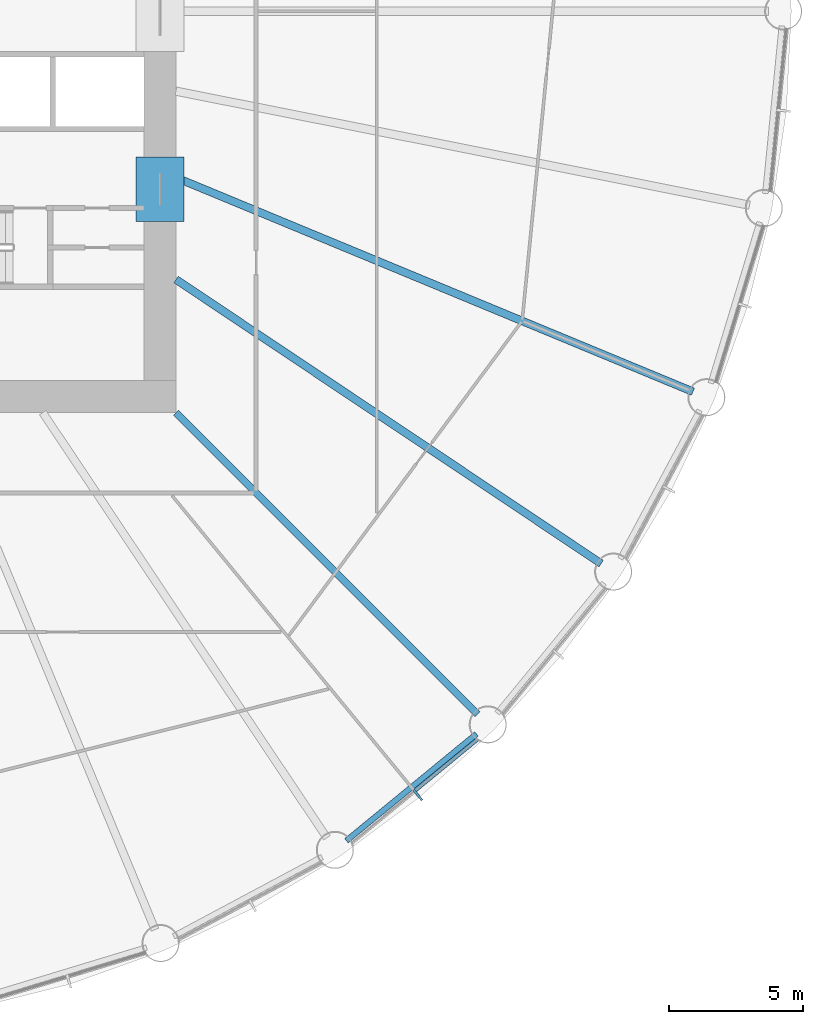
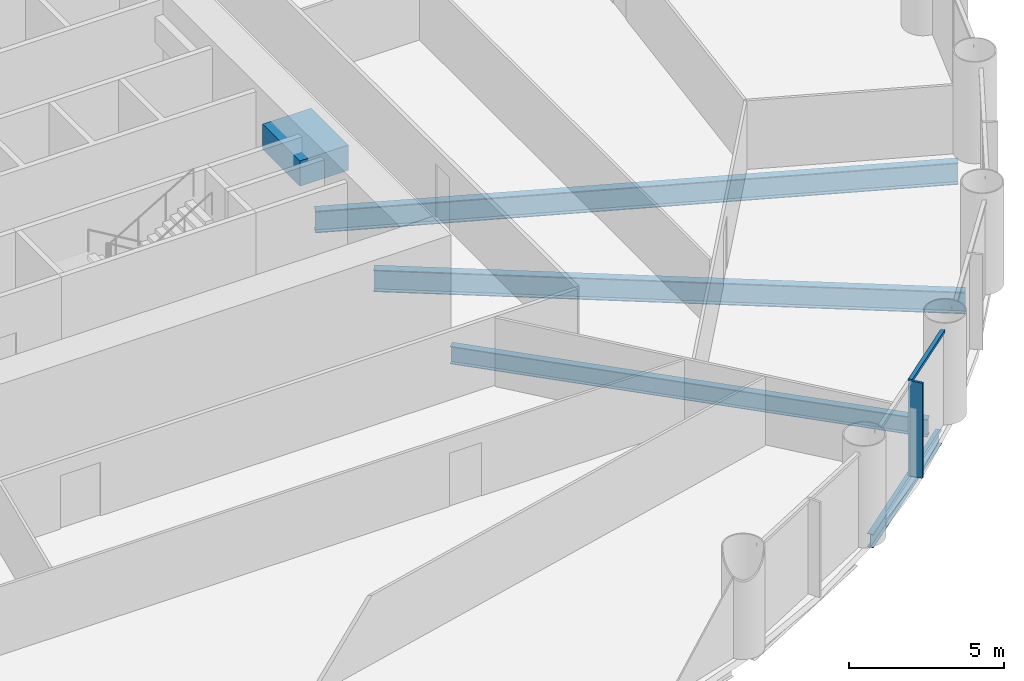
# One storey, part 3 of 15: 5 beams, 2 members, 1 element without a shape of its own.
"""IFC4 building model written with IfcOpenShell, lengths in metres."""

from ifc_helpers import new_model, si_unit, direction, frame, origin, origin_2d, place, context, subcontext, project, spatial, rectangle, i_section, extrude, material, material_profile, profile_set, type_object, element, aggregate, save


model = new_model("IFC4")

# Units and contexts
model_context = context("Model", 3, precision=1e-05, world=origin(), true_north=direction((0.0, 1.0)))
body_context = subcontext(model_context, "Body", "Model", "MODEL_VIEW")
ifc_project = project(units=[si_unit("LENGTHUNIT", "METRE"), si_unit("AREAUNIT", "SQUARE_METRE"), si_unit("VOLUMEUNIT", "CUBIC_METRE"), si_unit("PLANEANGLEUNIT", "RADIAN"), si_unit("MASSUNIT", "GRAM", prefix="KILO")], contexts=[model_context])

# Site, building, storey
site_placement = place(None, origin())
site = spatial("IfcSite", under=ifc_project, at=site_placement, CompositionType="ELEMENT")
building_placement = place(site_placement, origin())
building = spatial("IfcBuilding", under=site, at=building_placement, Name="Corvane Civic Tower", CompositionType="ELEMENT")
storey_placement = place(building_placement, frame((0.0, 0.0, 41.0)))
storey = spatial("IfcBuildingStorey", under=building, at=storey_placement, Name="L08", CompositionType="ELEMENT", Elevation=41.0)

# Beams
ifc_material_1 = material(Name="Concrete C80/95", Category="concrete")
ifc_material_profile_1 = material_profile(ifc_material_1, rectangle(XDim=1.800048828125, YDim=1.0, at=origin_2d()), Name="COUPLING BEAM 1800X1000")
ifc_profile_set_1 = profile_set([ifc_material_profile_1], Name="Concrete C80/95")
beam_type_1 = type_object("IfcBeamType", Name="COUPLING BEAM COUPLING BEAM 1800X1000", PredefinedType="BEAM", material=ifc_profile_set_1)
beam_1_placement = place(storey_placement, frame((14.39990234375, -7.85009765625, 2.60009765625), z_axis=(0.0, 1.0, 0.0), x_axis=(-1.0, 0.0, 0.0)))
element("IfcBeam", 1, at=beam_1_placement, inside=storey, type_object=beam_type_1, Name="BM-L08-cpl-CW-ES", PredefinedType="BEAM", context=body_context, shape_type="SweptSolid", body=[
    extrude(rectangle(XDim=1.800048828125, YDim=1.0, at=origin_2d()), origin(), (0.0, 0.0, 1.0), 2.400146484375),
])
ifc_material_2 = material(Name="Steel ASTM A992 Gr 50", Category="steel")
ifc_material_profile_2 = material_profile(ifc_material_2, i_section(OverallWidth=0.209228515625, OverallDepth=0.533447265625, WebThickness=0.01025390625, FlangeThickness=0.015625, at=origin_2d()), Name="W21X62")
ifc_profile_set_2 = profile_set([ifc_material_profile_2], Name="Steel ASTM A992 Gr 50")
beam_type_2 = type_object("IfcBeamType", Name="EDGE BEAM W21X62", PredefinedType="BEAM", material=ifc_profile_set_2)
beam_2_placement = place(storey_placement, frame((26.23291015625, -27.0068359375, -0.566650390625), z_axis=(-0.773015785286, -0.634386787141, 0.0), x_axis=(0.634386787141, -0.773015785286, 0.0)))
element("IfcBeam", 2, at=beam_2_placement, inside=storey, type_object=beam_type_2, Name="BM-L08-E13", PredefinedType="BEAM", context=body_context, shape_type="SweptSolid", body=[
    extrude(i_section(OverallWidth=0.209228515625, OverallDepth=0.533447265625, WebThickness=0.01025390625, FlangeThickness=0.015625, at=origin_2d()), origin(), (0.0, 0.0, 1.0), 6.290771484375),
])
ifc_material_3 = material(Name="Steel ASTM A992 Gr 50", Category="steel")
ifc_material_profile_3 = material_profile(ifc_material_3, i_section(OverallWidth=0.256591796875, OverallDepth=0.693359375, WebThickness=0.014404296875, FlangeThickness=0.023681640625, at=origin_2d()), Name="W27X114")
ifc_profile_set_3 = profile_set([ifc_material_profile_3], Name="Steel ASTM A992 Gr 50")
beam_type_3 = type_object("IfcBeamType", Name="FLOOR GIRDER W27X114", PredefinedType="BEAM", material=ifc_profile_set_3)
beam_3_placement = place(storey_placement, frame((15.0, -15.0, -0.646728515625), z_axis=(0.707106781187, -0.707106781187, 0.0), x_axis=(0.707106781187, 0.707106781187, 0.0)))
element("IfcBeam", 3, at=beam_3_placement, inside=storey, type_object=beam_type_3, Name="BM-L08-G13", PredefinedType="BEAM", context=body_context, shape_type="SweptSolid", body=[
    extrude(i_section(OverallWidth=0.256591796875, OverallDepth=0.693359375, WebThickness=0.014404296875, FlangeThickness=0.023681640625, at=origin_2d()), origin(), (0.0, 0.0, 1.0), 15.936767578125),
])
ifc_material_4 = material(Name="Steel ASTM A992 Gr 50", Category="steel")
ifc_material_profile_4 = material_profile(ifc_material_4, i_section(OverallWidth=0.2919921875, OverallDepth=0.8583984375, WebThickness=0.01708984375, FlangeThickness=0.031005859375, at=origin_2d()), Name="W33X169")
ifc_profile_set_4 = profile_set([ifc_material_profile_4], Name="Steel ASTM A992 Gr 50")
beam_type_4 = type_object("IfcBeamType", Name="FLOOR GIRDER W33X169", PredefinedType="BEAM", material=ifc_profile_set_4)
beam_4_placement = place(storey_placement, frame((15.0, -6.213134765625, -0.729248046875), z_axis=(0.923875834355, -0.382692360381, 0.0), x_axis=(0.382692360381, 0.923875834355, 0.0)))
element("IfcBeam", 4, at=beam_4_placement, inside=storey, type_object=beam_type_4, Name="BM-L08-G11", PredefinedType="BEAM", context=body_context, shape_type="SweptSolid", body=[
    extrude(i_section(OverallWidth=0.2919921875, OverallDepth=0.8583984375, WebThickness=0.01708984375, FlangeThickness=0.031005859375, at=origin_2d()), origin(), (0.0, 0.0, 1.0), 20.9140625),
])
beam_5_placement = place(storey_placement, frame((15.0, -10.022705078125, -0.729248046875), z_axis=(0.831471985418, -0.555566681385, 0.0), x_axis=(0.555566681385, 0.831471985418, 0.0)))
element("IfcBeam", 5, at=beam_5_placement, inside=storey, type_object=beam_type_4, Name="BM-L08-G12", PredefinedType="BEAM", context=body_context, shape_type="SweptSolid", body=[
    extrude(i_section(OverallWidth=0.2919921875, OverallDepth=0.8583984375, WebThickness=0.01708984375, FlangeThickness=0.031005859375, at=origin_2d()), origin(), (0.0, 0.0, 1.0), 19.109619140625),
])

# Curtain wall, members
ifc_material_5 = material(Name="Anodised aluminium bronze", Category="aluminium")
curtain_wall_type = type_object("IfcCurtainWallType", Name="TOWER CW-T1 STICK CURTAIN WALL", PredefinedType="NOTDEFINED", material=ifc_material_5)
curtain_wall_placement = place(storey_placement, origin())
curtain_wall = element("IfcCurtainWall", 6, at=curtain_wall_placement, inside=storey, type_object=curtain_wall_type, Name="Curtain wall CW-T1 L08 bay 13", PredefinedType="NOTDEFINED")
ifc_material_6 = material(Name="Anodised aluminium bronze", Category="aluminium")
ifc_material_profile_5 = material_profile(ifc_material_6, rectangle(XDim=0.139892578125, YDim=0.1201171875, at=origin_2d()), Name="TOWER CW-T1 TRANSOM 140x120")
ifc_profile_set_5 = profile_set([ifc_material_profile_5], Name="Anodised aluminium bronze")
member_type_1 = type_object("IfcMemberType", Name="TOWER CW-T1 TRANSOM 140x120", PredefinedType="USERDEFINED", material=ifc_profile_set_5)
member_1_placement = place(storey_placement, frame((26.271728515625, -27.20654296875, 3.68994140625), z_axis=(-0.773001943873, -0.634403652865, 0.0), x_axis=(0.634403652865, -0.773001943873, 0.0)))
member_1 = element("IfcMember", 7, at=member_1_placement, type_object=member_type_1, Name="Transom CW-T1 L08 13.1", ObjectType="TRANSOM", PredefinedType="USERDEFINED", context=body_context, shape_type="SweptSolid", body=[
    extrude(rectangle(XDim=0.139892578125, YDim=0.1201171875, at=origin_2d()), origin(), (0.0, 0.0, 1.0), 3.008544921875),
])
ifc_material_7 = material(Name="Anodised aluminium bronze", Category="aluminium")
ifc_material_profile_6 = material_profile(ifc_material_7, rectangle(XDim=0.080078125, YDim=0.5, at=origin_2d()), Name="TOWER FIN MULLION 80x500 BRONZE")
ifc_profile_set_6 = profile_set([ifc_material_profile_6], Name="Anodised aluminium bronze")
member_type_2 = type_object("IfcMemberType", Name="TOWER FIN MULLION 80x500 BRONZE", PredefinedType="MULLION", material=ifc_profile_set_6)
member_2_placement = place(storey_placement, frame((24.0419921875, -29.295166015625, 0.0), z_axis=(0.0, 0.0, 1.0), x_axis=(-0.773007224463, -0.634397218569, 0.0)))
member_2 = element("IfcMember", 8, at=member_2_placement, type_object=member_type_2, Name="Fin mullion 13 L08", PredefinedType="MULLION", context=body_context, shape_type="SweptSolid", body=[
    extrude(rectangle(XDim=0.080078125, YDim=0.5, at=origin_2d()), origin(), (0.0, 0.0, 1.0), 3.75),
])
aggregate(curtain_wall, [member_2, member_1])

save(model, "model.ifc")
